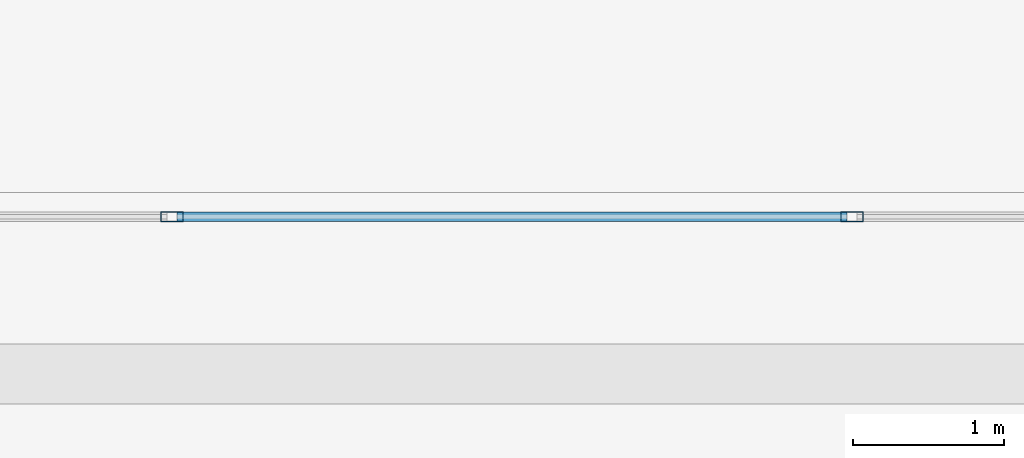
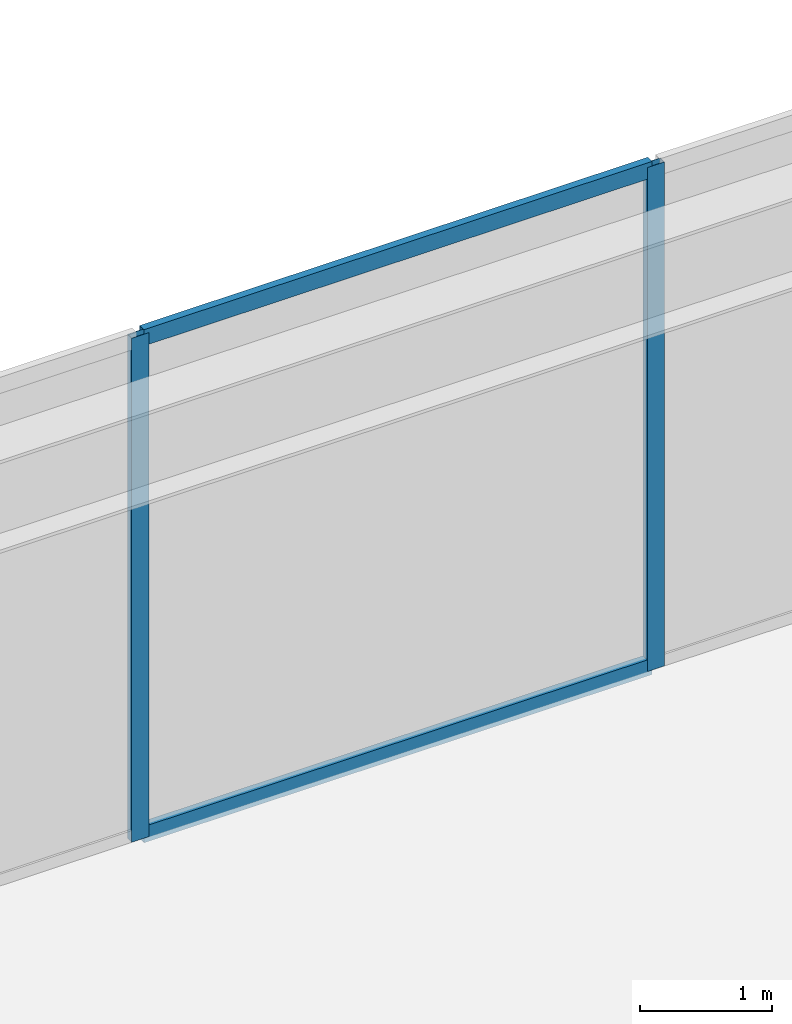
# One storey, part 13 of 28: 4 members, 1 element without a shape of its own.
"""IFC4 building model written with IfcOpenShell, lengths in metres."""

from ifc_helpers import new_model, si_unit, direction, frame, origin, origin_2d, place, context, subcontext, project, spatial, hollow_rectangle, extrude, source, transform, mapped, material, layer, layer_set, material_profile, profile_set, type_object, type_shapes, element, aggregate, save


model = new_model("IFC4")

# Units and contexts
model_context = context("Model", 3, precision=1e-05, world=origin(), true_north=direction((0.0, 1.0)))
body_context = subcontext(model_context, "Body", "Model", "MODEL_VIEW")
ifc_project = project(units=[si_unit("LENGTHUNIT", "METRE"), si_unit("AREAUNIT", "SQUARE_METRE"), si_unit("VOLUMEUNIT", "CUBIC_METRE"), si_unit("PLANEANGLEUNIT", "RADIAN"), si_unit("MASSUNIT", "GRAM", prefix="KILO")], contexts=[model_context])

# Site, building, storey
site_placement = place(None, origin())
site = spatial("IfcSite", under=ifc_project, at=site_placement, CompositionType="ELEMENT")
building_placement = place(site_placement, origin())
building = spatial("IfcBuilding", under=site, at=building_placement, Name="Talar Marvaseh", CompositionType="ELEMENT")
storey_placement = place(building_placement, origin())
storey = spatial("IfcBuildingStorey", under=building, at=storey_placement, Name="L00", CompositionType="ELEMENT", Elevation=0.0)

# Curtain wall, members
ifc_material = material(Name="Architectural Aluminium", Category="aluminium")
ifc_layer = layer(ifc_material, 0.25)
ifc_layer_set = layer_set([ifc_layer], Name="Architectural Aluminium")
curtain_wall_type = type_object("IfcCurtainWallType", Name="Station Podium Monumental Iwan Curtain Wall", PredefinedType="NOTDEFINED", material=ifc_layer_set)
curtain_wall_placement = place(storey_placement, origin())
curtain_wall = element("IfcCurtainWall", 1, at=curtain_wall_placement, inside=storey, type_object=curtain_wall_type, Name="L00 Station Podium Monumental Iwan Curtain Wall", PredefinedType="NOTDEFINED")
ifc_material_profile_1 = material_profile(ifc_material, hollow_rectangle(XDim=0.06494140625, YDim=0.14990234375, WallThickness=0.00390625, at=origin_2d()), Name="RHS150x65x4")
ifc_profile_set_1 = profile_set([ifc_material_profile_1], Name="Architectural Aluminium")
member_type_1 = type_object("IfcMemberType", Name="Unitised Curtain Wall Slim Mullion RHS150x65x4", PredefinedType="MULLION", material=ifc_profile_set_1)
shared_shape_1 = source(origin(), body_context, "Body", "SweptSolid", [
    extrude(hollow_rectangle(XDim=0.06494140625, YDim=0.14990234375, WallThickness=0.00390625, at=origin_2d()), origin(), (0.0, 0.0, 1.0), 4.64990234375),
])
type_shapes(member_type_1, [shared_shape_1])
member_1_placement = place(storey_placement, frame((27.0, 47.840087890625, 0.0), z_axis=(0.0, 0.0, 1.0), x_axis=(0.0, 1.0, 0.0)))
member_1 = element("IfcMember", 2, at=member_1_placement, type_object=member_type_1, Name="CW-POD mullion 3", PredefinedType="MULLION", context=body_context, shape_type="MappedRepresentation", body=[
    mapped(shared_shape_1, transform((0.0, 0.0, 0.0), x_axis=(1.0, 0.0, 0.0), y_axis=(0.0, 1.0, 0.0), z_axis=(0.0, 0.0, 1.0), scale=1.0)),
])
member_2_placement = place(storey_placement, frame((31.5, 47.840087890625, 0.0), z_axis=(0.0, 0.0, 1.0), x_axis=(0.0, 1.0, 0.0)))
member_2 = element("IfcMember", 3, at=member_2_placement, type_object=member_type_1, Name="CW-POD mullion 4", PredefinedType="MULLION", context=body_context, shape_type="MappedRepresentation", body=[
    mapped(shared_shape_1, transform((0.0, 0.0, 0.0), x_axis=(1.0, 0.0, 0.0), y_axis=(0.0, 1.0, 0.0), z_axis=(0.0, 0.0, 1.0), scale=1.0)),
])
ifc_material_profile_2 = material_profile(ifc_material, hollow_rectangle(XDim=0.06494140625, YDim=0.14990234375, WallThickness=0.00390625, at=origin_2d()), Name="RHS150x65x4")
ifc_profile_set_2 = profile_set([ifc_material_profile_2], Name="Architectural Aluminium")
member_type_2 = type_object("IfcMemberType", Name="Unitised Curtain Wall Slim Transom RHS150x65x4", PredefinedType="USERDEFINED", material=ifc_profile_set_2)
shared_shape_2 = source(origin(), body_context, "Body", "SweptSolid", [
    extrude(hollow_rectangle(XDim=0.06494140625, YDim=0.14990234375, WallThickness=0.00390625, at=origin_2d()), origin(), (0.0, 0.0, 1.0), 4.43505859375),
])
type_shapes(member_type_2, [shared_shape_2])
member_3_placement = place(storey_placement, frame((27.032470703125, 47.840087890625, 0.032470703125), z_axis=(1.0, 0.0, 0.0), x_axis=(0.0, 1.0, 0.0)))
member_3 = element("IfcMember", 4, at=member_3_placement, type_object=member_type_2, Name="CW-POD transom 3.1", ObjectType="TRANSOM", PredefinedType="USERDEFINED", context=body_context, shape_type="MappedRepresentation", body=[
    mapped(shared_shape_2, transform((0.0, 0.0, 0.0), x_axis=(1.0, 0.0, 0.0), y_axis=(0.0, 1.0, 0.0), z_axis=(0.0, 0.0, 1.0), scale=1.0)),
])
member_4_placement = place(storey_placement, frame((27.032470703125, 47.840087890625, 4.617431640625), z_axis=(1.0, 0.0, 0.0), x_axis=(0.0, 1.0, 0.0)))
member_4 = element("IfcMember", 5, at=member_4_placement, type_object=member_type_2, Name="CW-POD transom 3.2", ObjectType="TRANSOM", PredefinedType="USERDEFINED", context=body_context, shape_type="MappedRepresentation", body=[
    mapped(shared_shape_2, transform((0.0, 0.0, 0.0), x_axis=(1.0, 0.0, 0.0), y_axis=(0.0, 1.0, 0.0), z_axis=(0.0, 0.0, 1.0), scale=1.0)),
])
aggregate(curtain_wall, [member_1, member_2, member_3, member_4])

save(model, "model.ifc")
